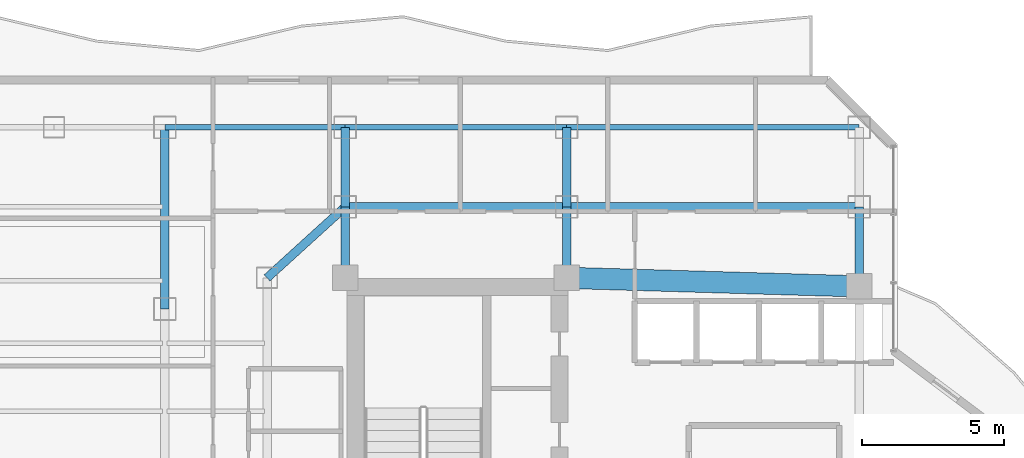
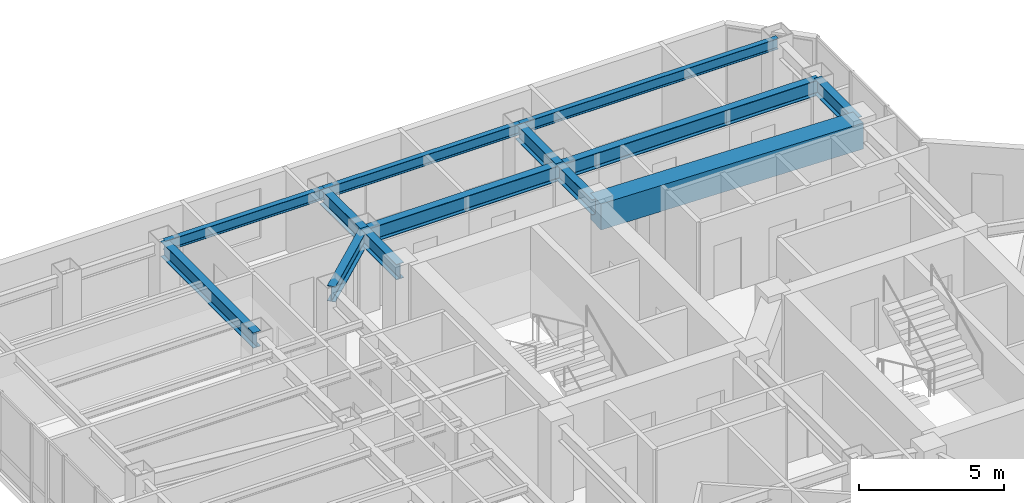
# One storey, part 18 of 27: 13 beams.
"""IFC4 building model written with IfcOpenShell, lengths in metres."""

from ifc_helpers import new_model, si_unit, direction, frame, origin, origin_2d, place, context, subcontext, project, spatial, rectangle, i_section, extrude, material, material_profile, profile_set, type_object, element, save


model = new_model("IFC4")

# Units and contexts
model_context = context("Model", 3, precision=1e-05, world=origin(), true_north=direction((0.0, 1.0)))
body_context = subcontext(model_context, "Body", "Model", "MODEL_VIEW")
ifc_project = project(units=[si_unit("LENGTHUNIT", "METRE"), si_unit("AREAUNIT", "SQUARE_METRE"), si_unit("VOLUMEUNIT", "CUBIC_METRE"), si_unit("PLANEANGLEUNIT", "RADIAN"), si_unit("MASSUNIT", "GRAM", prefix="KILO")], contexts=[model_context])

# Site, building, storey
site_placement = place(None, origin())
site = spatial("IfcSite", under=ifc_project, at=site_placement, CompositionType="ELEMENT")
building_placement = place(site_placement, origin())
building = spatial("IfcBuilding", under=site, at=building_placement, Name="Hatsunagi Terrace Concourse", CompositionType="ELEMENT")
storey_placement = place(building_placement, frame((0.0, 0.0, 167.25)))
storey = spatial("IfcBuildingStorey", under=building, at=storey_placement, Name="L44", CompositionType="ELEMENT", Elevation=167.25)

# Beams
ifc_material_1 = material(Name="Concrete Fc48", Category="concrete")
ifc_material_profile_1 = material_profile(ifc_material_1, rectangle(XDim=0.75, YDim=1.10009765625, at=origin_2d()), Name="RC-750x1100")
ifc_profile_set_1 = profile_set([ifc_material_profile_1], Name="Concrete Fc48")
beam_type_1 = type_object("IfcBeamType", Name="CoreCouplingBeam_RC_750x1100", PredefinedType="BEAM", material=ifc_profile_set_1)
beam_1_placement = place(storey_placement, frame((33.35009765625, 43.300048828125, 2.800048828125), z_axis=(0.999575947545, -0.029119153303, 0.0), x_axis=(0.029119153303, 0.999575947545, 0.0)))
element("IfcBeam", 1, at=beam_1_placement, inside=storey, type_object=beam_type_1, Name="Beam CB-02 CB-L44-2", PredefinedType="BEAM", context=body_context, shape_type="SweptSolid", body=[
    extrude(rectangle(XDim=0.75, YDim=1.10009765625, at=origin_2d()), origin(), (0.0, 0.0, 1.0), 10.30419921875),
])
ifc_material_2 = material(Name="Steel SN490B", Category="steel")
ifc_material_profile_2 = material_profile(ifc_material_2, i_section(OverallWidth=0.300048828125, OverallDepth=0.64990234375, WebThickness=0.012939453125, FlangeThickness=0.02197265625, FilletRadius=0.01806640625, at=origin_2d()), Name="H-650x300x13x22")
ifc_profile_set_2 = profile_set([ifc_material_profile_2], Name="Steel SN490B")
beam_type_2 = type_object("IfcBeamType", Name="OfficeLowGirder_H_650x300", PredefinedType="BEAM", material=ifc_profile_set_2)
for number, where, z_axis, x_axis, name in (
    (2, (25.550048828125, 43.300048828125, 3.02490234375), (0.0, 1.0, 0.0), (-1.0, 0.0, 0.0), "Beam G-05 BM-L44-CN1"),
    (3, (33.35009765625, 43.300048828125, 3.02490234375), (0.0, 1.0, 0.0), (-1.0, 0.0, 0.0), "Beam G-05 BM-L44-CN2"),
):
    element("IfcBeam", number, at=place(storey_placement, frame(where, z_axis=z_axis, x_axis=x_axis)), inside=storey, type_object=beam_type_2, Name=name, PredefinedType="BEAM", context=body_context, shape_type="SweptSolid", body=[
        extrude(i_section(OverallWidth=0.300048828125, OverallDepth=0.64990234375, WebThickness=0.012939453125, FlangeThickness=0.02197265625, FilletRadius=0.01806640625, at=origin_2d()), origin(), (0.0, 0.0, 1.0), 2.5),
    ])
beam_2_placement = place(storey_placement, frame((43.64990234375, 43.0, 3.02490234375), z_axis=(0.0, 1.0, 0.0), x_axis=(-1.0, 0.0, 0.0)))
element("IfcBeam", 4, at=beam_2_placement, inside=storey, type_object=beam_type_2, Name="Beam G-05 BM-L44-CN3", PredefinedType="BEAM", context=body_context, shape_type="SweptSolid", body=[
    extrude(i_section(OverallWidth=0.300048828125, OverallDepth=0.64990234375, WebThickness=0.012939453125, FlangeThickness=0.02197265625, FilletRadius=0.01806640625, at=origin_2d()), origin(), (0.0, 0.0, 1.0), 2.800048828125),
])
beam_3_placement = place(storey_placement, frame((25.550048828125, 45.800048828125, 3.02490234375), z_axis=(1.0, 0.0, 0.0), x_axis=(0.0, 1.0, 0.0)))
element("IfcBeam", 5, at=beam_3_placement, inside=storey, type_object=beam_type_2, Name="Beam G-05 BM-L44-CNEW1", PredefinedType="BEAM", context=body_context, shape_type="SweptSolid", body=[
    extrude(i_section(OverallWidth=0.300048828125, OverallDepth=0.64990234375, WebThickness=0.012939453125, FlangeThickness=0.02197265625, FilletRadius=0.01806640625, at=origin_2d()), origin(), (0.0, 0.0, 1.0), 7.800048828125),
])
beam_4_placement = place(storey_placement, frame((33.35009765625, 45.800048828125, 3.02490234375), z_axis=(1.0, 0.0, 0.0), x_axis=(0.0, 1.0, 0.0)))
element("IfcBeam", 6, at=beam_4_placement, inside=storey, type_object=beam_type_2, Name="Beam G-05 BM-L44-CNEW2", PredefinedType="BEAM", context=body_context, shape_type="SweptSolid", body=[
    extrude(i_section(OverallWidth=0.300048828125, OverallDepth=0.64990234375, WebThickness=0.012939453125, FlangeThickness=0.02197265625, FilletRadius=0.01806640625, at=origin_2d()), origin(), (0.0, 0.0, 1.0), 10.2998046875),
])
for number, where, z_axis, x_axis, name in (
    (7, (25.550048828125, 45.800048828125, 3.02490234375), (0.0, 1.0, 0.0), (-1.0, 0.0, 0.0), "Beam G-05 BM-L44-KN-WN4"),
    (8, (33.35009765625, 45.800048828125, 3.02490234375), (0.0, 1.0, 0.0), (-1.0, 0.0, 0.0), "Beam G-05 BM-L44-KN-WN5"),
):
    element("IfcBeam", number, at=place(storey_placement, frame(where, z_axis=z_axis, x_axis=x_axis)), inside=storey, type_object=beam_type_2, Name=name, PredefinedType="BEAM", context=body_context, shape_type="SweptSolid", body=[
        extrude(i_section(OverallWidth=0.300048828125, OverallDepth=0.64990234375, WebThickness=0.012939453125, FlangeThickness=0.02197265625, FilletRadius=0.01806640625, at=origin_2d()), origin(), (0.0, 0.0, 1.0), 2.800048828125),
    ])
beam_5_placement = place(storey_placement, frame((22.800048828125, 43.300048828125, 3.02490234375), z_axis=(0.739940073396, 0.672672793996, 0.0), x_axis=(-0.672672793996, 0.739940073396, 0.0)))
element("IfcBeam", 9, at=beam_5_placement, inside=storey, type_object=beam_type_2, Name="Beam G-05 BM-L44-CWEW-N", PredefinedType="BEAM", context=body_context, shape_type="SweptSolid", body=[
    extrude(i_section(OverallWidth=0.300048828125, OverallDepth=0.64990234375, WebThickness=0.012939453125, FlangeThickness=0.02197265625, FilletRadius=0.01806640625, at=origin_2d()), origin(), (0.0, 0.0, 1.0), 3.716552734375),
])
beam_6_placement = place(storey_placement, frame((19.199951171875, 42.199951171875, 3.02490234375), z_axis=(0.0, 1.0, 0.0), x_axis=(-1.0, 0.0, 0.0)))
element("IfcBeam", 10, at=beam_6_placement, inside=storey, type_object=beam_type_2, Name="Beam G-05 BM-L44-NS-19-42", PredefinedType="BEAM", context=body_context, shape_type="SweptSolid", body=[
    extrude(i_section(OverallWidth=0.300048828125, OverallDepth=0.64990234375, WebThickness=0.012939453125, FlangeThickness=0.02197265625, FilletRadius=0.01806640625, at=origin_2d()), origin(), (0.0, 0.0, 1.0), 6.400146484375),
])
ifc_material_3 = material(Name="Steel SN490B", Category="steel")
ifc_material_profile_3 = material_profile(ifc_material_3, i_section(OverallWidth=0.199951171875, OverallDepth=0.449951171875, WebThickness=0.009033203125, FlangeThickness=0.013916015625, FilletRadius=0.01611328125, at=origin_2d()), Name="H-450x200x9x14")
ifc_profile_set_3 = profile_set([ifc_material_profile_3], Name="Steel SN490B")
beam_type_3 = type_object("IfcBeamType", Name="PerimeterSpandrel_H_450x200", PredefinedType="SPANDREL", material=ifc_profile_set_3)
beam_7_placement = place(storey_placement, frame((19.199951171875, 48.60009765625, 3.125), z_axis=(1.0, 0.0, 0.0), x_axis=(0.0, 1.0, 0.0)))
element("IfcBeam", 11, at=beam_7_placement, inside=storey, type_object=beam_type_3, Name="Beam SP-02 BM-L44-WN-19", PredefinedType="SPANDREL", context=body_context, shape_type="SweptSolid", body=[
    extrude(i_section(OverallWidth=0.199951171875, OverallDepth=0.449951171875, WebThickness=0.009033203125, FlangeThickness=0.013916015625, FilletRadius=0.01611328125, at=origin_2d()), origin(), (0.0, 0.0, 1.0), 6.35009765625),
])
beam_8_placement = place(storey_placement, frame((25.550048828125, 48.60009765625, 3.125), z_axis=(1.0, 0.0, 0.0), x_axis=(0.0, 1.0, 0.0)))
element("IfcBeam", 12, at=beam_8_placement, inside=storey, type_object=beam_type_3, Name="Beam SP-02 BM-L44-WN-25", PredefinedType="SPANDREL", context=body_context, shape_type="SweptSolid", body=[
    extrude(i_section(OverallWidth=0.199951171875, OverallDepth=0.449951171875, WebThickness=0.009033203125, FlangeThickness=0.013916015625, FilletRadius=0.01611328125, at=origin_2d()), origin(), (0.0, 0.0, 1.0), 7.800048828125),
])
beam_9_placement = place(storey_placement, frame((33.35009765625, 48.60009765625, 3.125), z_axis=(1.0, 0.0, 0.0), x_axis=(0.0, 1.0, 0.0)))
element("IfcBeam", 13, at=beam_9_placement, inside=storey, type_object=beam_type_3, Name="Beam SP-02 BM-L44-WN-33", PredefinedType="SPANDREL", context=body_context, shape_type="SweptSolid", body=[
    extrude(i_section(OverallWidth=0.199951171875, OverallDepth=0.449951171875, WebThickness=0.009033203125, FlangeThickness=0.013916015625, FilletRadius=0.01611328125, at=origin_2d()), origin(), (0.0, 0.0, 1.0), 10.2998046875),
])

save(model, "model.ifc")
